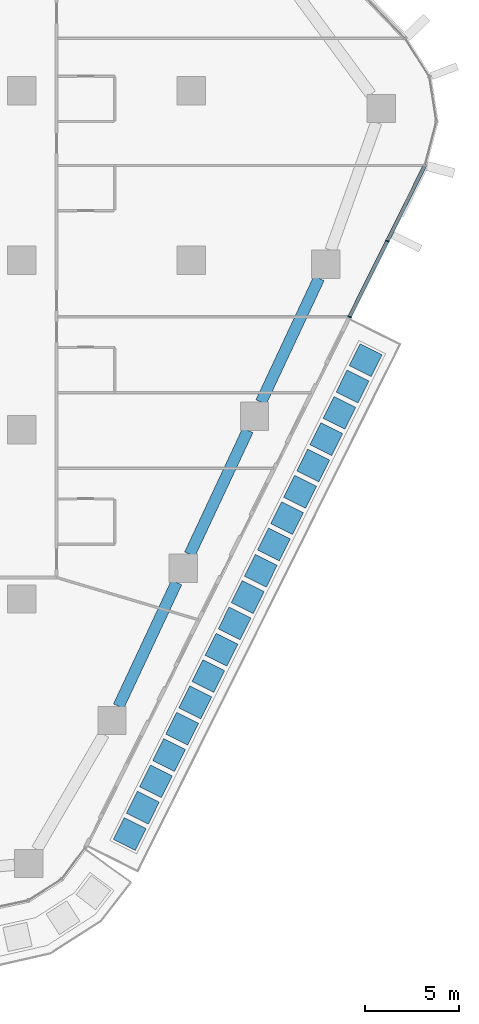
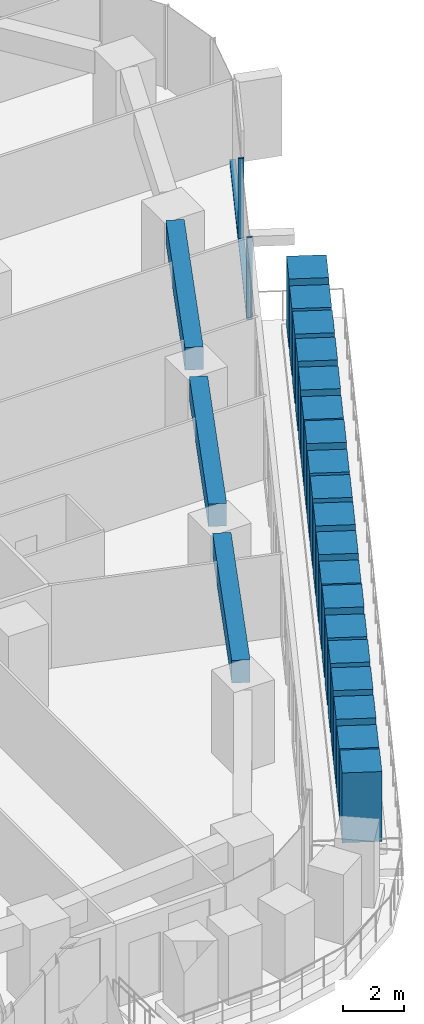
# One storey, part 7 of 27: 22 members, 3 beams, 1 element without a shape of its own.
"""IFC4 building model written with IfcOpenShell, lengths in metres."""

import ifcopenshell
import ifcopenshell.guid

model = None  # the IFC model being written
_history = None  # IfcOwnerHistory: only IFC2X3 demands one
_inside = {}  # id of a spatial element -> (the spatial element, [elements in it])
_under = {}  # id of a project, library or spatial element -> (it, [spatial elements below it])
_declared = {}  # id of a project -> (the project, [libraries it declares])
_typed = {}  # id of a type object -> (the type object, [elements of that type])
_made_of = {}  # id of a material, layer set ... -> (it, [elements and type objects made of it])


def new_model(schema):
    """Start an empty IFC model of exactly this schema.

    Asked for "IFC4X3", IfcOpenShell would pick the latest addendum, in which some entities
    have other attributes; the version numbers below select the first issue.
    IFC2X3 requires an IfcOwnerHistory on every rooted entity: one is made here for all.
    """
    global model, _history
    if schema == "IFC4X3":
        model = ifcopenshell.file(schema_version=(4, 3, 0, 0))
    else:
        model = ifcopenshell.file(schema=schema)
    _inside.clear()
    _under.clear()
    _declared.clear()
    _typed.clear()
    _made_of.clear()
    _history = None
    if model.schema == "IFC2X3":
        org = make("IfcOrganization", Name="unknown")
        user = make(
            "IfcPersonAndOrganization",
            ThePerson=make("IfcPerson", FamilyName="unknown"),
            TheOrganization=org,
        )
        app = make(
            "IfcApplication",
            ApplicationDeveloper=org,
            Version="unknown",
            ApplicationFullName="unknown",
            ApplicationIdentifier="unknown",
        )
        _history = make(
            "IfcOwnerHistory",
            OwningUser=user,
            OwningApplication=app,
            ChangeAction="ADDED",
            CreationDate=0,
        )
    return model


def make(cls, **values):
    """One entity of the class cls with the attributes given. An attribute that is None is left unset."""
    return model.create_entity(
        cls, **{name: value for name, value in values.items() if value is not None}
    )


def rooted(cls, **values):
    """An entity with a GlobalId (a new one), such as an element, a storey or a relation."""
    return make(cls, GlobalId=ifcopenshell.guid.new(), OwnerHistory=_history, **values)


def si_unit(unit_type, name, prefix=None):
    """IfcSIUnit, for example si_unit("LENGTHUNIT", "METRE", prefix="MILLI")."""
    return make("IfcSIUnit", UnitType=unit_type, Prefix=prefix, Name=name)


def assignment(units):
    """IfcUnitAssignment: the units of a project."""
    return None if units is None else make("IfcUnitAssignment", Units=units)


def point(xyz):
    """IfcCartesianPoint."""
    return None if xyz is None else make("IfcCartesianPoint", Coordinates=xyz)


def direction(xyz):
    """IfcDirection."""
    return None if xyz is None else make("IfcDirection", DirectionRatios=xyz)


def frame(location, z_axis=None, x_axis=None):
    """IfcAxis2Placement3D, a coordinate frame: its origin and axes. An axis left out is left unset."""
    return make(
        "IfcAxis2Placement3D",
        Location=point(location),
        Axis=direction(z_axis),
        RefDirection=direction(x_axis),
    )


def frame_2d(location, x_axis=None):
    """IfcAxis2Placement2D, a coordinate frame in the plane: its origin and x axis."""
    return make(
        "IfcAxis2Placement2D", Location=point(location), RefDirection=direction(x_axis)
    )


def origin():
    """The frame at (0, 0, 0) with its axes left unset."""
    return frame((0.0, 0.0, 0.0))


def origin_2d():
    """The frame at (0, 0) in the plane with its x axis left unset."""
    return frame_2d((0.0, 0.0))


def place(relative_to, where):
    """IfcLocalPlacement: puts the frame where relative to a parent placement (None: the world)."""
    return make(
        "IfcLocalPlacement", PlacementRelTo=relative_to, RelativePlacement=where
    )


def context(
    kind, dimensions, precision=None, world=None, true_north=None, identifier=None
):
    """IfcGeometricRepresentationContext, for example the 3D "Model" context."""
    return make(
        "IfcGeometricRepresentationContext",
        ContextIdentifier=identifier,
        ContextType=kind,
        CoordinateSpaceDimension=dimensions,
        Precision=precision,
        WorldCoordinateSystem=world,
        TrueNorth=true_north,
    )


def subcontext(parent, identifier, kind, view, scale=None):
    """IfcGeometricRepresentationSubContext, for example "Body" below "Model"."""
    return make(
        "IfcGeometricRepresentationSubContext",
        ContextIdentifier=identifier,
        ContextType=kind,
        ParentContext=parent,
        TargetScale=scale,
        TargetView=view,
    )


def project(units=None, contexts=None):
    """IfcProject with its units and contexts."""
    return rooted(
        "IfcProject",
        Name="project",
        RepresentationContexts=contexts,
        UnitsInContext=assignment(units),
    )


def spatial(cls, under=None, at=None, **own):
    """A site, building, storey or space (cls), placed at a placement, below another one or the project."""
    s = rooted(cls, ObjectPlacement=at, **own)
    if under is not None:
        _under.setdefault(under.id(), (under, []))[1].append(s)
    return s


def profile(cls, at=None, kind="AREA", **sizes):
    """A parametric profile (cls). Its sizes go by their IFC names, for example OverallWidth=200.0."""
    return make(cls, ProfileType=kind, Position=at, **sizes)


def rectangle(**sizes):
    """IfcRectangleProfileDef."""
    return profile("IfcRectangleProfileDef", **sizes)


def extrude(swept, where, along, depth):
    """IfcExtrudedAreaSolid: the profile swept, set in the frame where, extruded along a direction by depth."""
    return make(
        "IfcExtrudedAreaSolid",
        SweptArea=swept,
        Position=where,
        ExtrudedDirection=direction(along),
        Depth=depth,
    )


def shape(context_of_items, identifier, shape_type, items):
    """IfcShapeRepresentation: the items that make up one representation, for example the "Body"."""
    return make(
        "IfcShapeRepresentation",
        ContextOfItems=context_of_items,
        RepresentationIdentifier=identifier,
        RepresentationType=shape_type,
        Items=items,
    )


def material(Name=None, Category=None):
    """IfcMaterial."""
    return make("IfcMaterial", Name=Name, Category=Category)


def layer(
    of_material, thickness, ventilated=None, Name=None, Category=None, Priority=None
):
    """IfcMaterialLayer: one layer of a wall or slab, of a material (None: an air gap)."""
    return make(
        "IfcMaterialLayer",
        Material=of_material,
        LayerThickness=thickness,
        IsVentilated=ventilated,
        Name=Name,
        Category=Category,
        Priority=Priority,
    )


def layer_set(layers, Name=None):
    """IfcMaterialLayerSet."""
    return make("IfcMaterialLayerSet", MaterialLayers=layers, LayerSetName=Name)


def material_profile(
    of_material, cross_section, Name=None, Category=None, Priority=None
):
    """IfcMaterialProfile: a cross section and its material."""
    return make(
        "IfcMaterialProfile",
        Name=Name,
        Material=of_material,
        Profile=cross_section,
        Priority=Priority,
        Category=Category,
    )


def profile_set(profiles, Name=None, composite=None):
    """IfcMaterialProfileSet."""
    return make(
        "IfcMaterialProfileSet",
        Name=Name,
        MaterialProfiles=profiles,
        CompositeProfile=composite,
    )


def made_of(thing, what):
    """Note that an element or type object is made of a material, layer set ...; save() writes the relation."""
    if what is not None:
        _made_of.setdefault(what.id(), (what, []))[1].append(thing)
    return thing


def type_object(cls, material=None, **own):
    """A type object (cls), such as IfcWallType, which elements share."""
    return made_of(rooted(cls, **own), material)


def element(
    cls,
    number,
    at=None,
    inside=None,
    cuts=None,
    type_object=None,
    material=None,
    context=None,
    identifier="Body",
    shape_type=None,
    held_by="IfcProductDefinitionShape",
    body=None,
    shapes=None,
    **own,
):
    """One element of the class cls, such as IfcWall. Its Tag is "e" and its number.

    at: its placement. inside: the storey or other place that contains it. cuts: it is an
    opening in that element (IfcRelVoidsElement). A single representation is given by context,
    identifier, shape_type and body (its items); several are given by shapes. held_by: the class
    of the entity that holds the representations. save() writes the other relations.
    """
    e = rooted(cls, Tag="e%d" % number, ObjectPlacement=at, **own)
    if body is not None:
        shapes = [shape(context, identifier, shape_type, body)]
    if shapes is not None:
        e.Representation = make(held_by, Representations=shapes)
    if inside is not None:
        _inside.setdefault(inside.id(), (inside, []))[1].append(e)
    if cuts is not None:
        rooted(
            "IfcRelVoidsElement", RelatingBuildingElement=cuts, RelatedOpeningElement=e
        )
    if type_object is not None:
        _typed.setdefault(type_object.id(), (type_object, []))[1].append(e)
    return made_of(e, material)


def aggregate(whole, parts):
    """IfcRelAggregates: a whole, such as a stair, and the parts it consists of."""
    return rooted("IfcRelAggregates", RelatingObject=whole, RelatedObjects=parts)


def save(model, path):
    """Write the relations noted so far, then the file.

    IfcRelAggregates (storeys below a building ...), IfcRelContainedInSpatialStructure (elements
    in a storey), IfcRelDefinesByType, IfcRelAssociatesMaterial and IfcRelDeclares: one each for
    every whole, place, type object, material and project.
    """
    for whole, parts in _under.values():
        aggregate(whole, parts)
    for where, things in _inside.values():
        rooted(
            "IfcRelContainedInSpatialStructure",
            RelatedElements=things,
            RelatingStructure=where,
        )
    for kind, things in _typed.values():
        rooted("IfcRelDefinesByType", RelatedObjects=things, RelatingType=kind)
    for what, things in _made_of.values():
        rooted("IfcRelAssociatesMaterial", RelatedObjects=things, RelatingMaterial=what)
    for by, libraries in _declared.values():
        rooted("IfcRelDeclares", RelatingContext=by, RelatedDefinitions=libraries)
    model.write(path)


model = new_model("IFC4")

# Units and contexts
model_context = context("Model", 3, precision=1e-05, world=origin(), true_north=direction((0.0, 1.0)))
body_context = subcontext(model_context, "Body", "Model", "MODEL_VIEW")
ifc_project = project(units=[si_unit("LENGTHUNIT", "METRE"), si_unit("AREAUNIT", "SQUARE_METRE"), si_unit("VOLUMEUNIT", "CUBIC_METRE"), si_unit("PLANEANGLEUNIT", "RADIAN"), si_unit("MASSUNIT", "GRAM", prefix="KILO")], contexts=[model_context])

# Site, building, storey
site_placement = place(None, origin())
site = spatial("IfcSite", under=ifc_project, at=site_placement, CompositionType="ELEMENT")
building_placement = place(site_placement, origin())
building = spatial("IfcBuilding", under=site, at=building_placement, Name="Dongbaek Canopy Tower", CompositionType="ELEMENT")
storey_placement = place(building_placement, frame((0.0, 0.0, 58.800048828125)))
storey = spatial("IfcBuildingStorey", under=building, at=storey_placement, Name="L10", CompositionType="ELEMENT", Elevation=58.800048828125)

# Curtain wall, members
ifc_material_1 = material(Name="Aluminium 6063-T6 pale anodised", Category="aluminium")
ifc_layer = layer(ifc_material_1, 0.199951171875)
ifc_layer_set = layer_set([ifc_layer], Name="CW-1 unitised tower curtain wall")
curtain_wall_type = type_object("IfcCurtainWallType", Name="CW-1 unitised tower curtain wall", PredefinedType="NOTDEFINED", material=ifc_layer_set)
curtain_wall_placement = place(storey_placement, origin())
curtain_wall = element("IfcCurtainWall", 1, at=curtain_wall_placement, inside=storey, type_object=curtain_wall_type, Name="CW-1 curtain wall F5.1", PredefinedType="NOTDEFINED")
ifc_material_2 = material(Name="Aluminium 6063-T6 pale anodised", Category="aluminium")
ifc_material_profile_1 = material_profile(ifc_material_2, rectangle(XDim=0.199951171875, YDim=0.06005859375, at=origin_2d()), Name="CW-1 mullion 60 x 200")
ifc_profile_set_1 = profile_set([ifc_material_profile_1], Name="Aluminium 6063-T6 pale anodised")
member_type_1 = type_object("IfcMemberType", Name="CW-1 mullion 60 x 200", PredefinedType="MULLION", material=ifc_profile_set_1)
member_1_placement = place(storey_placement, frame((35.414306640625, -3.00634765625, 0.119873046875), z_axis=(0.0, 0.0, 1.0), x_axis=(0.895193313704, -0.445678057682, 0.0)))
member_1 = element("IfcMember", 2, at=member_1_placement, type_object=member_type_1, Name="CW-1 mullion F5.1.1", PredefinedType="MULLION", context=body_context, shape_type="SweptSolid", body=[
    extrude(rectangle(XDim=0.199951171875, YDim=0.06005859375, at=origin_2d()), origin(), (0.0, 0.0, 1.0), 3.18017578125),
])
member_2_placement = place(storey_placement, frame((37.418212890625, 1.018798828125, 0.119873046875), z_axis=(0.0, 0.0, 1.0), x_axis=(0.895193313704, -0.445678057682, 0.0)))
member_2 = element("IfcMember", 3, at=member_2_placement, type_object=member_type_1, Name="CW-1 mullion F5.1.2", PredefinedType="MULLION", context=body_context, shape_type="SweptSolid", body=[
    extrude(rectangle(XDim=0.199951171875, YDim=0.06005859375, at=origin_2d()), origin(), (0.0, 0.0, 1.0), 3.18017578125),
])
ifc_material_3 = material(Name="Aluminium 6063-T6 pale anodised", Category="aluminium")
ifc_material_profile_2 = material_profile(ifc_material_3, rectangle(XDim=0.199951171875, YDim=0.1201171875, at=origin_2d()), Name="CW-1 transom 120 x 200")
ifc_profile_set_2 = profile_set([ifc_material_profile_2], Name="Aluminium 6063-T6 pale anodised")
member_type_2 = type_object("IfcMemberType", Name="CW-1 transom 120 x 200", PredefinedType="USERDEFINED", material=ifc_profile_set_2)
member_3_placement = place(storey_placement, frame((35.414306640625, -3.00634765625, 0.06005859375), z_axis=(0.445690891022, 0.895186924424, 0.0), x_axis=(-0.895186924424, 0.445690891022, 0.0)))
member_3 = element("IfcMember", 4, at=member_3_placement, type_object=member_type_2, Name="CW-1 transom F5.1.1", ObjectType="TRANSOM", PredefinedType="USERDEFINED", context=body_context, shape_type="SweptSolid", body=[
    extrude(rectangle(XDim=0.199951171875, YDim=0.1201171875, at=origin_2d()), origin(), (0.0, 0.0, 1.0), 8.982421875),
])
aggregate(curtain_wall, [member_1, member_2, member_3])

# Beams
ifc_material_4 = material(Name="Concrete C80", Category="concrete")
ifc_material_profile_3 = material_profile(ifc_material_4, rectangle(XDim=0.60009765625, YDim=0.89990234375, at=origin_2d()), Name="RC EDGE BEAM 600x900 C80")
ifc_profile_set_3 = profile_set([ifc_material_profile_3], Name="Concrete C80")
beam_type = type_object("IfcBeamType", Name="RC EDGE BEAM 600x900 C80", PredefinedType="BEAM", material=ifc_profile_set_3)
beam_1_placement = place(storey_placement, frame((33.791748046875, -0.955078125, 2.849853515625), z_axis=(-0.424064450026, -0.905632012588, 0.0), x_axis=(0.905632012588, -0.424064450026, 0.0)))
element("IfcBeam", 5, at=beam_1_placement, inside=storey, type_object=beam_type, Name="EDGEBEAM:L10:22", PredefinedType="BEAM", context=body_context, shape_type="SweptSolid", body=[
    extrude(rectangle(XDim=0.60009765625, YDim=0.89990234375, at=origin_2d()), origin(), (0.0, 0.0, 1.0), 7.264404296875),
])
beam_2_placement = place(storey_placement, frame((30.0087890625, -9.033935546875, 2.849853515625), z_axis=(-0.424110161641, -0.905610606604, 0.0), x_axis=(0.905610606604, -0.424110161641, 0.0)))
element("IfcBeam", 6, at=beam_2_placement, inside=storey, type_object=beam_type, Name="EDGEBEAM:L10:23", PredefinedType="BEAM", context=body_context, shape_type="SweptSolid", body=[
    extrude(rectangle(XDim=0.60009765625, YDim=0.89990234375, at=origin_2d()), origin(), (0.0, 0.0, 1.0), 7.265869140625),
])
beam_3_placement = place(storey_placement, frame((26.224609375, -17.114013671875, 2.849853515625), z_axis=(-0.42413422917, -0.905599335052, 0.0), x_axis=(0.905599335052, -0.42413422917, 0.0)))
element("IfcBeam", 7, at=beam_3_placement, inside=storey, type_object=beam_type, Name="EDGEBEAM:L10:24", PredefinedType="BEAM", context=body_context, shape_type="SweptSolid", body=[
    extrude(rectangle(XDim=0.60009765625, YDim=0.89990234375, at=origin_2d()), origin(), (0.0, 0.0, 1.0), 7.264892578125),
])

# Members
ifc_material_5 = material(Name="Concrete C40/50 planter mass with planting", Category="concrete")
ifc_material_profile_4 = material_profile(ifc_material_5, rectangle(XDim=1.300048828125, YDim=1.300048828125, at=origin_2d()), Name="Terrace PLANTER shrub mass 1300 x 1300")
ifc_profile_set_4 = profile_set([ifc_material_profile_4], Name="Concrete C40/50 planter mass with planting")
member_type_3 = type_object("IfcMemberType", Name="Terrace PLANTER shrub mass 1300 x 1300", PredefinedType="USERDEFINED", material=ifc_profile_set_4)
member_4_placement = place(storey_placement, frame((23.738037109375, -30.475830078125, 0.419921875), z_axis=(0.0, 0.0, 1.0), x_axis=(0.895193313704, -0.445678057682, 0.0)))
element("IfcMember", 8, at=member_4_placement, inside=storey, type_object=member_type_3, Name="Planter shrubs L10 5.1", ObjectType="PLANTER", PredefinedType="USERDEFINED", context=body_context, shape_type="SweptSolid", body=[
    extrude(rectangle(XDim=1.300048828125, YDim=1.300048828125, at=origin_2d()), origin(), (0.0, 0.0, 1.0), 2.780029296875),
])
member_5_placement = place(storey_placement, frame((24.43408203125, -29.07763671875, 0.419921875), z_axis=(0.0, 0.0, 1.0), x_axis=(0.895193313704, -0.445678057682, 0.0)))
element("IfcMember", 9, at=member_5_placement, inside=storey, type_object=member_type_3, Name="Planter shrubs L10 5.2", ObjectType="PLANTER", PredefinedType="USERDEFINED", context=body_context, shape_type="SweptSolid", body=[
    extrude(rectangle(XDim=1.300048828125, YDim=1.300048828125, at=origin_2d()), origin(), (0.0, 0.0, 1.0), 2.650146484375),
])
member_6_placement = place(storey_placement, frame((25.130126953125, -27.679443359375, 0.419921875), z_axis=(0.0, 0.0, 1.0), x_axis=(0.895193313704, -0.445678057682, 0.0)))
element("IfcMember", 10, at=member_6_placement, inside=storey, type_object=member_type_3, Name="Planter shrubs L10 5.3", ObjectType="PLANTER", PredefinedType="USERDEFINED", context=body_context, shape_type="SweptSolid", body=[
    extrude(rectangle(XDim=1.300048828125, YDim=1.300048828125, at=origin_2d()), origin(), (0.0, 0.0, 1.0), 2.72998046875),
])
member_7_placement = place(storey_placement, frame((25.826416015625, -26.28125, 0.419921875), z_axis=(0.0, 0.0, 1.0), x_axis=(0.895193313704, -0.445678057682, 0.0)))
element("IfcMember", 11, at=member_7_placement, inside=storey, type_object=member_type_3, Name="Planter shrubs L10 5.4", ObjectType="PLANTER", PredefinedType="USERDEFINED", context=body_context, shape_type="SweptSolid", body=[
    extrude(rectangle(XDim=1.300048828125, YDim=1.300048828125, at=origin_2d()), origin(), (0.0, 0.0, 1.0), 2.780029296875),
])
member_8_placement = place(storey_placement, frame((26.5224609375, -24.883056640625, 0.419921875), z_axis=(0.0, 0.0, 1.0), x_axis=(0.895193313704, -0.445678057682, 0.0)))
element("IfcMember", 12, at=member_8_placement, inside=storey, type_object=member_type_3, Name="Planter shrubs L10 5.5", ObjectType="PLANTER", PredefinedType="USERDEFINED", context=body_context, shape_type="SweptSolid", body=[
    extrude(rectangle(XDim=1.300048828125, YDim=1.300048828125, at=origin_2d()), origin(), (0.0, 0.0, 1.0), 2.77001953125),
])
member_9_placement = place(storey_placement, frame((27.218505859375, -23.485107421875, 0.419921875), z_axis=(0.0, 0.0, 1.0), x_axis=(0.895193313704, -0.445678057682, 0.0)))
element("IfcMember", 13, at=member_9_placement, inside=storey, type_object=member_type_3, Name="Planter shrubs L10 5.6", ObjectType="PLANTER", PredefinedType="USERDEFINED", context=body_context, shape_type="SweptSolid", body=[
    extrude(rectangle(XDim=1.300048828125, YDim=1.300048828125, at=origin_2d()), origin(), (0.0, 0.0, 1.0), 2.68994140625),
])
member_10_placement = place(storey_placement, frame((27.91455078125, -22.0869140625, 0.419921875), z_axis=(0.0, 0.0, 1.0), x_axis=(0.895193313704, -0.445678057682, 0.0)))
element("IfcMember", 14, at=member_10_placement, inside=storey, type_object=member_type_3, Name="Planter shrubs L10 5.7", ObjectType="PLANTER", PredefinedType="USERDEFINED", context=body_context, shape_type="SweptSolid", body=[
    extrude(rectangle(XDim=1.300048828125, YDim=1.300048828125, at=origin_2d()), origin(), (0.0, 0.0, 1.0), 2.780029296875),
])
member_11_placement = place(storey_placement, frame((28.610595703125, -20.688720703125, 0.419921875), z_axis=(0.0, 0.0, 1.0), x_axis=(0.895193313704, -0.445678057682, 0.0)))
element("IfcMember", 15, at=member_11_placement, inside=storey, type_object=member_type_3, Name="Planter shrubs L10 5.8", ObjectType="PLANTER", PredefinedType="USERDEFINED", context=body_context, shape_type="SweptSolid", body=[
    extrude(rectangle(XDim=1.300048828125, YDim=1.300048828125, at=origin_2d()), origin(), (0.0, 0.0, 1.0), 2.650146484375),
])
member_12_placement = place(storey_placement, frame((29.306640625, -19.29052734375, 0.419921875), z_axis=(0.0, 0.0, 1.0), x_axis=(0.895193313704, -0.445678057682, 0.0)))
element("IfcMember", 16, at=member_12_placement, inside=storey, type_object=member_type_3, Name="Planter shrubs L10 5.9", ObjectType="PLANTER", PredefinedType="USERDEFINED", context=body_context, shape_type="SweptSolid", body=[
    extrude(rectangle(XDim=1.300048828125, YDim=1.300048828125, at=origin_2d()), origin(), (0.0, 0.0, 1.0), 2.72998046875),
])
member_13_placement = place(storey_placement, frame((30.0029296875, -17.892333984375, 0.419921875), z_axis=(0.0, 0.0, 1.0), x_axis=(0.895193313704, -0.445678057682, 0.0)))
element("IfcMember", 17, at=member_13_placement, inside=storey, type_object=member_type_3, Name="Planter shrubs L10 5.10", ObjectType="PLANTER", PredefinedType="USERDEFINED", context=body_context, shape_type="SweptSolid", body=[
    extrude(rectangle(XDim=1.300048828125, YDim=1.300048828125, at=origin_2d()), origin(), (0.0, 0.0, 1.0), 2.780029296875),
])
member_14_placement = place(storey_placement, frame((30.698974609375, -16.494140625, 0.419921875), z_axis=(0.0, 0.0, 1.0), x_axis=(0.895193313704, -0.445678057682, 0.0)))
element("IfcMember", 18, at=member_14_placement, inside=storey, type_object=member_type_3, Name="Planter shrubs L10 5.11", ObjectType="PLANTER", PredefinedType="USERDEFINED", context=body_context, shape_type="SweptSolid", body=[
    extrude(rectangle(XDim=1.300048828125, YDim=1.300048828125, at=origin_2d()), origin(), (0.0, 0.0, 1.0), 2.77001953125),
])
member_15_placement = place(storey_placement, frame((31.39501953125, -15.095947265625, 0.419921875), z_axis=(0.0, 0.0, 1.0), x_axis=(0.895193313704, -0.445678057682, 0.0)))
element("IfcMember", 19, at=member_15_placement, inside=storey, type_object=member_type_3, Name="Planter shrubs L10 5.12", ObjectType="PLANTER", PredefinedType="USERDEFINED", context=body_context, shape_type="SweptSolid", body=[
    extrude(rectangle(XDim=1.300048828125, YDim=1.300048828125, at=origin_2d()), origin(), (0.0, 0.0, 1.0), 2.68994140625),
])
member_16_placement = place(storey_placement, frame((32.091064453125, -13.697998046875, 0.419921875), z_axis=(0.0, 0.0, 1.0), x_axis=(0.895193313704, -0.445678057682, 0.0)))
element("IfcMember", 20, at=member_16_placement, inside=storey, type_object=member_type_3, Name="Planter shrubs L10 5.13", ObjectType="PLANTER", PredefinedType="USERDEFINED", context=body_context, shape_type="SweptSolid", body=[
    extrude(rectangle(XDim=1.300048828125, YDim=1.300048828125, at=origin_2d()), origin(), (0.0, 0.0, 1.0), 2.780029296875),
])
member_17_placement = place(storey_placement, frame((32.787109375, -12.2998046875, 0.419921875), z_axis=(0.0, 0.0, 1.0), x_axis=(0.895193313704, -0.445678057682, 0.0)))
element("IfcMember", 21, at=member_17_placement, inside=storey, type_object=member_type_3, Name="Planter shrubs L10 5.14", ObjectType="PLANTER", PredefinedType="USERDEFINED", context=body_context, shape_type="SweptSolid", body=[
    extrude(rectangle(XDim=1.300048828125, YDim=1.300048828125, at=origin_2d()), origin(), (0.0, 0.0, 1.0), 2.650146484375),
])
member_18_placement = place(storey_placement, frame((33.483154296875, -10.901611328125, 0.419921875), z_axis=(0.0, 0.0, 1.0), x_axis=(0.895193313704, -0.445678057682, 0.0)))
element("IfcMember", 22, at=member_18_placement, inside=storey, type_object=member_type_3, Name="Planter shrubs L10 5.15", ObjectType="PLANTER", PredefinedType="USERDEFINED", context=body_context, shape_type="SweptSolid", body=[
    extrude(rectangle(XDim=1.300048828125, YDim=1.300048828125, at=origin_2d()), origin(), (0.0, 0.0, 1.0), 2.72998046875),
])
member_19_placement = place(storey_placement, frame((34.17919921875, -9.50341796875, 0.419921875), z_axis=(0.0, 0.0, 1.0), x_axis=(0.895193313704, -0.445678057682, 0.0)))
element("IfcMember", 23, at=member_19_placement, inside=storey, type_object=member_type_3, Name="Planter shrubs L10 5.16", ObjectType="PLANTER", PredefinedType="USERDEFINED", context=body_context, shape_type="SweptSolid", body=[
    extrude(rectangle(XDim=1.300048828125, YDim=1.300048828125, at=origin_2d()), origin(), (0.0, 0.0, 1.0), 2.780029296875),
])
member_20_placement = place(storey_placement, frame((34.87548828125, -8.105224609375, 0.419921875), z_axis=(0.0, 0.0, 1.0), x_axis=(0.895193313704, -0.445678057682, 0.0)))
element("IfcMember", 24, at=member_20_placement, inside=storey, type_object=member_type_3, Name="Planter shrubs L10 5.17", ObjectType="PLANTER", PredefinedType="USERDEFINED", context=body_context, shape_type="SweptSolid", body=[
    extrude(rectangle(XDim=1.300048828125, YDim=1.300048828125, at=origin_2d()), origin(), (0.0, 0.0, 1.0), 2.77001953125),
])
member_21_placement = place(storey_placement, frame((35.571533203125, -6.70703125, 0.419921875), z_axis=(0.0, 0.0, 1.0), x_axis=(0.895193313704, -0.445678057682, 0.0)))
element("IfcMember", 25, at=member_21_placement, inside=storey, type_object=member_type_3, Name="Planter shrubs L10 5.18", ObjectType="PLANTER", PredefinedType="USERDEFINED", context=body_context, shape_type="SweptSolid", body=[
    extrude(rectangle(XDim=1.300048828125, YDim=1.300048828125, at=origin_2d()), origin(), (0.0, 0.0, 1.0), 2.68994140625),
])
member_22_placement = place(storey_placement, frame((36.267578125, -5.308837890625, 0.419921875), z_axis=(0.0, 0.0, 1.0), x_axis=(0.895193313704, -0.445678057682, 0.0)))
element("IfcMember", 26, at=member_22_placement, inside=storey, type_object=member_type_3, Name="Planter shrubs L10 5.19", ObjectType="PLANTER", PredefinedType="USERDEFINED", context=body_context, shape_type="SweptSolid", body=[
    extrude(rectangle(XDim=1.300048828125, YDim=1.300048828125, at=origin_2d()), origin(), (0.0, 0.0, 1.0), 2.780029296875),
])

save(model, "model.ifc")
